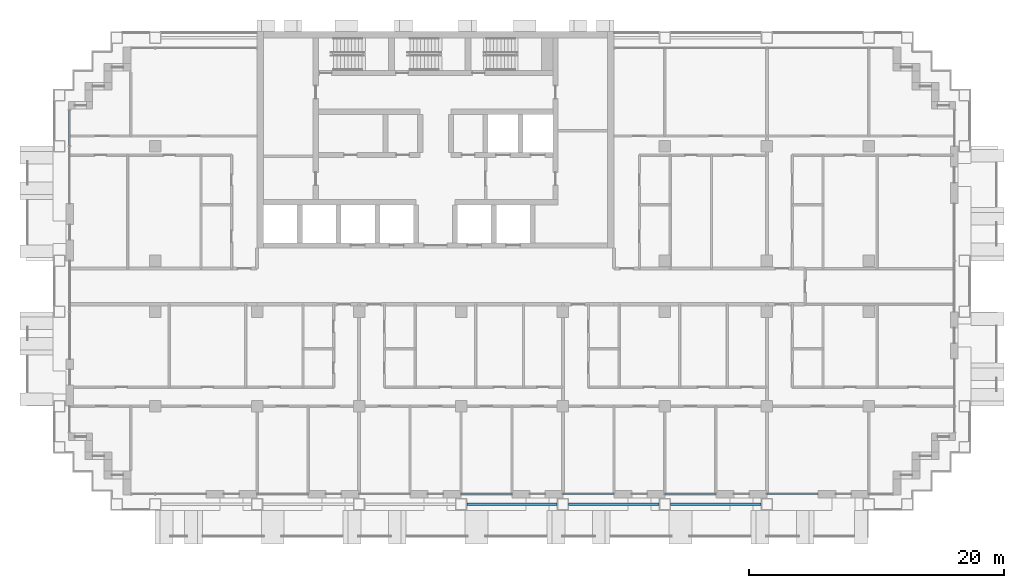
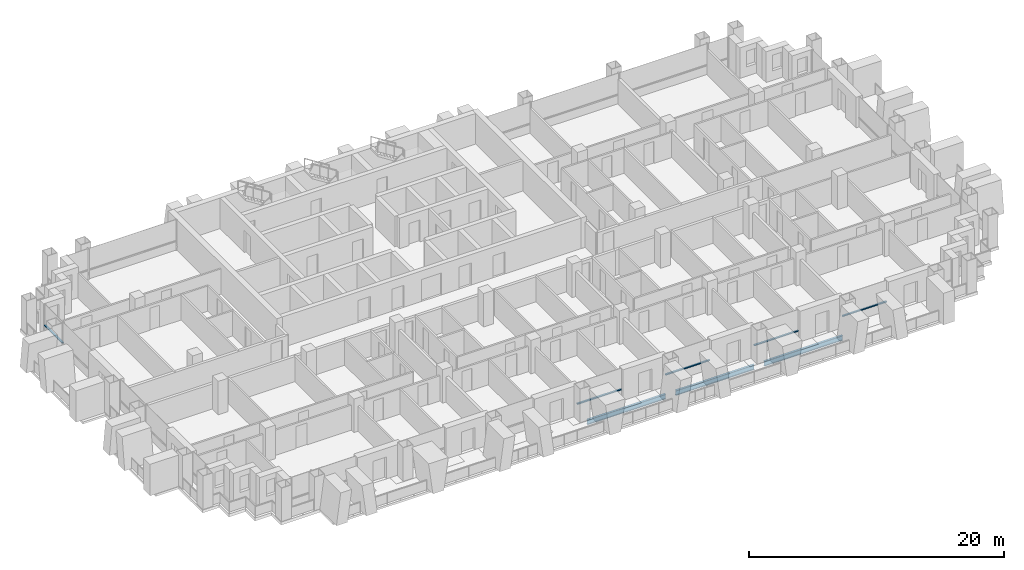
# One storey, part 3 of 17: 5 members, 3 beams, 5 elements without a shape of their own.
"""IFC4 building model written with IfcOpenShell, lengths in metres."""

from ifc_helpers import new_model, si_unit, direction, frame, origin, origin_2d, place, context, subcontext, project, spatial, rectangle, i_section, extrude, material, material_profile, profile_set, type_object, element, aggregate, save


model = new_model("IFC4")

# Units and contexts
model_context = context("Model", 3, precision=1e-05, world=origin(), true_north=direction((0.0, 1.0)))
body_context = subcontext(model_context, "Body", "Model", "MODEL_VIEW")
ifc_project = project(units=[si_unit("LENGTHUNIT", "METRE"), si_unit("AREAUNIT", "SQUARE_METRE"), si_unit("VOLUMEUNIT", "CUBIC_METRE"), si_unit("PLANEANGLEUNIT", "RADIAN"), si_unit("MASSUNIT", "GRAM", prefix="KILO")], contexts=[model_context])

# Site, building, storey
site_placement = place(None, origin())
site = spatial("IfcSite", under=ifc_project, at=site_placement, CompositionType="ELEMENT")
building_placement = place(site_placement, origin())
building = spatial("IfcBuilding", under=site, at=building_placement, Name="Vidyagriha Tower", CompositionType="ELEMENT")
storey_placement = place(building_placement, frame((0.0, 0.0, 77.5)))
storey = spatial("IfcBuildingStorey", under=building, at=storey_placement, Name="L19", CompositionType="ELEMENT", Elevation=77.5)

# Beams
ifc_material_1 = material(Name="Steel ASTM A992 Grade 50", Category="steel")
ifc_material_profile_1 = material_profile(ifc_material_1, i_section(OverallWidth=0.19189453125, OverallDepth=0.46240234375, WebThickness=0.010498046875, FlangeThickness=0.017578125, at=origin_2d()), Name="W18X60")
ifc_profile_set_1 = profile_set([ifc_material_profile_1], Name="Steel ASTM A992 Grade 50")
beam_type = type_object("IfcBeamType", Name="Edge beam W18X60", PredefinedType="SPANDREL", material=ifc_profile_set_1)
for number, where, z_axis, x_axis, name in (
    (1, (2.449951171875, -17.10009765625, -0.51123046875), (1.0, 0.0, 0.0), (0.0, 1.0, 0.0), "st-beam-L19-S04"),
    (2, (10.449951171875, -17.10009765625, -0.51123046875), (1.0, 0.0, 0.0), (0.0, 1.0, 0.0), "st-beam-L19-S05"),
    (3, (18.449951171875, -17.10009765625, -0.51123046875), (1.0, 0.0, 0.0), (0.0, 1.0, 0.0), "st-beam-L19-S06"),
):
    element("IfcBeam", number, at=place(storey_placement, frame(where, z_axis=z_axis, x_axis=x_axis)), inside=storey, type_object=beam_type, Name=name, PredefinedType="SPANDREL", context=body_context, shape_type="SweptSolid", body=[
        extrude(i_section(OverallWidth=0.19189453125, OverallDepth=0.46240234375, WebThickness=0.010498046875, FlangeThickness=0.017578125, at=origin_2d()), origin(), (0.0, 0.0, 1.0), 7.10009765625),
    ])

# Curtain wall, member
ifc_material_2 = material(Name="Aluminium and glass curtain wall", Category="aluminium")
curtain_wall_type = type_object("IfcCurtainWallType", Name="Dwelling skin unitised curtain wall", PredefinedType="USERDEFINED", material=ifc_material_2)
curtain_wall_1_placement = place(storey_placement, origin())
curtain_wall_1 = element("IfcCurtainWall", 4, at=curtain_wall_1_placement, inside=storey, type_object=curtain_wall_type, Name="CW1 dwelling skin", ObjectType="UNITISED", PredefinedType="USERDEFINED")
ifc_material_3 = material(Name="Aluminium black anodised", Category="aluminium")
ifc_material_profile_2 = material_profile(ifc_material_3, rectangle(XDim=0.159912109375, YDim=0.10009765625, at=origin_2d()), Name="Transom 100x160 black aluminium")
ifc_profile_set_2 = profile_set([ifc_material_profile_2], Name="Aluminium black anodised")
member_type = type_object("IfcMemberType", Name="Transom 100x160 black aluminium", PredefinedType="USERDEFINED", material=ifc_profile_set_2)
member_1_placement = place(storey_placement, frame((-28.699951171875, 13.830078125, 0.89990234375), z_axis=(0.0, -1.0, 0.0), x_axis=(1.0, 0.0, 0.0)))
member_1 = element("IfcMember", 5, at=member_1_placement, type_object=member_type, Name="CW1 transom 1.1", ObjectType="TRANSOM", PredefinedType="USERDEFINED", context=body_context, shape_type="SweptSolid", body=[
    extrude(rectangle(XDim=0.159912109375, YDim=0.10009765625, at=origin_2d()), origin(), (0.0, 0.0, 1.0), 2.795166015625),
])
aggregate(curtain_wall_1, [member_1])

curtain_wall_2_placement = place(storey_placement, origin())
curtain_wall_2 = element("IfcCurtainWall", 6, at=curtain_wall_2_placement, inside=storey, type_object=curtain_wall_type, Name="CW1 dwelling skin", ObjectType="UNITISED", PredefinedType="USERDEFINED")
member_2_placement = place(storey_placement, frame((2.0, -16.300048828125, 0.89990234375), z_axis=(1.0, 0.0, 0.0), x_axis=(0.0, 1.0, 0.0)))
member_2 = element("IfcMember", 7, at=member_2_placement, type_object=member_type, Name="CW1 transom 1.1", ObjectType="TRANSOM", PredefinedType="USERDEFINED", context=body_context, shape_type="SweptSolid", body=[
    extrude(rectangle(XDim=0.159912109375, YDim=0.10009765625, at=origin_2d()), origin(), (0.0, 0.0, 1.0), 4.0),
])
aggregate(curtain_wall_2, [member_2])

curtain_wall_3_placement = place(storey_placement, origin())
curtain_wall_3 = element("IfcCurtainWall", 8, at=curtain_wall_3_placement, inside=storey, type_object=curtain_wall_type, Name="CW1 dwelling skin", ObjectType="UNITISED", PredefinedType="USERDEFINED")
member_3_placement = place(storey_placement, frame((10.0, -16.300048828125, 0.89990234375), z_axis=(1.0, 0.0, 0.0), x_axis=(0.0, 1.0, 0.0)))
member_3 = element("IfcMember", 9, at=member_3_placement, type_object=member_type, Name="CW1 transom 1.1", ObjectType="TRANSOM", PredefinedType="USERDEFINED", context=body_context, shape_type="SweptSolid", body=[
    extrude(rectangle(XDim=0.159912109375, YDim=0.10009765625, at=origin_2d()), origin(), (0.0, 0.0, 1.0), 4.0),
])
aggregate(curtain_wall_3, [member_3])

curtain_wall_4_placement = place(storey_placement, origin())
curtain_wall_4 = element("IfcCurtainWall", 10, at=curtain_wall_4_placement, inside=storey, type_object=curtain_wall_type, Name="CW1 dwelling skin", ObjectType="UNITISED", PredefinedType="USERDEFINED")
member_4_placement = place(storey_placement, frame((18.0, -16.300048828125, 0.89990234375), z_axis=(1.0, 0.0, 0.0), x_axis=(0.0, 1.0, 0.0)))
member_4 = element("IfcMember", 11, at=member_4_placement, type_object=member_type, Name="CW1 transom 1.1", ObjectType="TRANSOM", PredefinedType="USERDEFINED", context=body_context, shape_type="SweptSolid", body=[
    extrude(rectangle(XDim=0.159912109375, YDim=0.10009765625, at=origin_2d()), origin(), (0.0, 0.0, 1.0), 4.0),
])
aggregate(curtain_wall_4, [member_4])

curtain_wall_5_placement = place(storey_placement, origin())
curtain_wall_5 = element("IfcCurtainWall", 12, at=curtain_wall_5_placement, inside=storey, type_object=curtain_wall_type, Name="CW1 dwelling skin", ObjectType="UNITISED", PredefinedType="USERDEFINED")
member_5_placement = place(storey_placement, frame((26.0, -16.300048828125, 0.89990234375), z_axis=(1.0, 0.0, 0.0), x_axis=(0.0, 1.0, 0.0)))
member_5 = element("IfcMember", 13, at=member_5_placement, type_object=member_type, Name="CW1 transom 1.1", ObjectType="TRANSOM", PredefinedType="USERDEFINED", context=body_context, shape_type="SweptSolid", body=[
    extrude(rectangle(XDim=0.159912109375, YDim=0.10009765625, at=origin_2d()), origin(), (0.0, 0.0, 1.0), 4.0),
])
aggregate(curtain_wall_5, [member_5])

save(model, "model.ifc")
